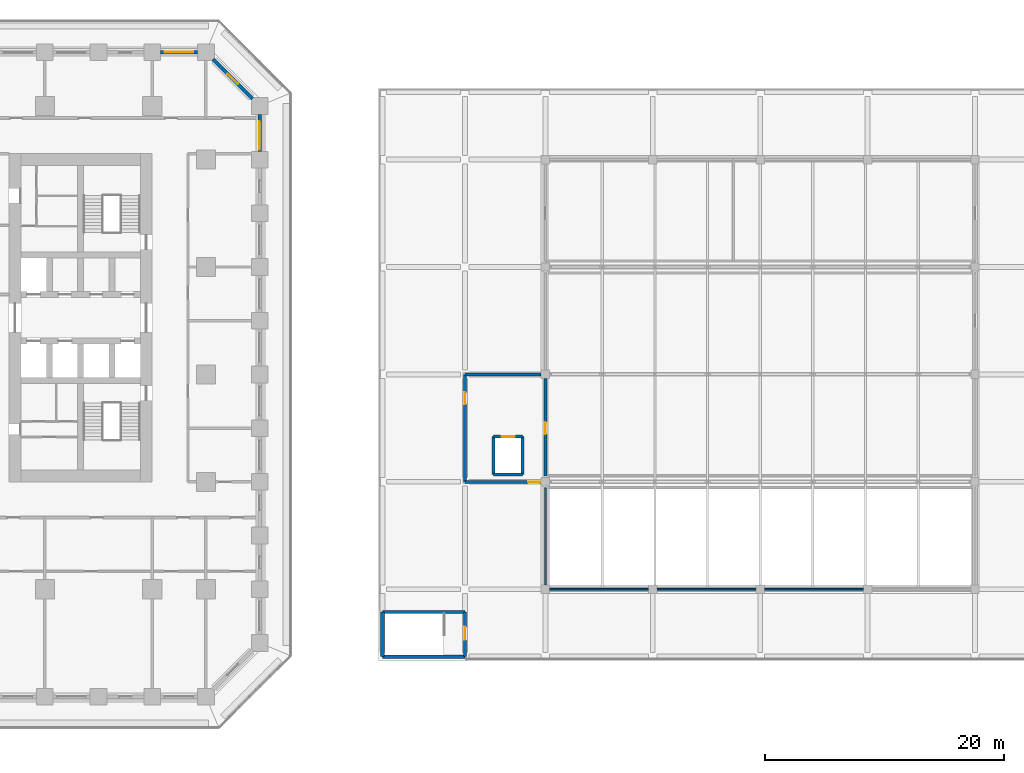
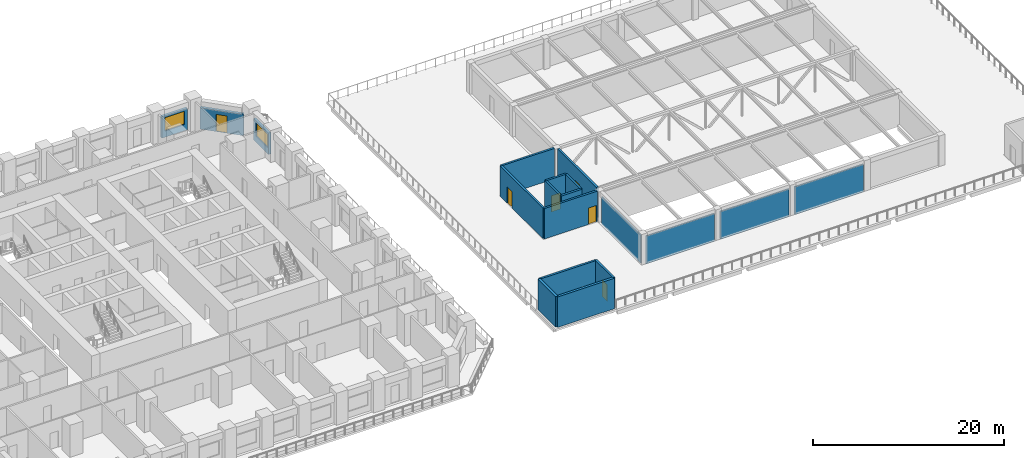
# One storey, part 24 of 30: 19 walls, 6 doors, 2 windows, 8 openings.
"""IFC4 building model written with IfcOpenShell, lengths in metres."""

from ifc_helpers import new_model, si_unit, direction, frame, frame_2d, origin, place, context, subcontext, project, spatial, rectangle, extrude, material, layer, layer_set, type_object, element, fill, save


model = new_model("IFC4")

# Units and contexts
model_context = context("Model", 3, precision=1e-05, world=origin(), true_north=direction((0.0, 1.0)))
body_context = subcontext(model_context, "Body", "Model", "MODEL_VIEW")
ifc_project = project(units=[si_unit("LENGTHUNIT", "METRE"), si_unit("AREAUNIT", "SQUARE_METRE"), si_unit("VOLUMEUNIT", "CUBIC_METRE"), si_unit("PLANEANGLEUNIT", "RADIAN"), si_unit("MASSUNIT", "GRAM", prefix="KILO")], contexts=[model_context])

# Site, building, storey
site_placement = place(None, origin())
site = spatial("IfcSite", under=ifc_project, at=site_placement, CompositionType="ELEMENT")
building_placement = place(site_placement, origin())
building = spatial("IfcBuilding", under=site, at=building_placement, Name="Corbel Stack Research Tower", CompositionType="ELEMENT")
storey_placement = place(building_placement, frame((0.0, 0.0, 19.5)))
storey = spatial("IfcBuildingStorey", under=building, at=storey_placement, Name="L04", CompositionType="ELEMENT", Elevation=19.5)

# Wall
ifc_material_1 = material(Name="Concrete C40/50", Category="concrete")
ifc_layer_1 = layer(ifc_material_1, 0.25)
ifc_layer_set_1 = layer_set([ifc_layer_1], Name="Concrete C40/50")
wall_type_1 = type_object("IfcWallType", Name="HW2 core wall C40/50 250", PredefinedType="SHEAR", material=ifc_layer_set_1)
wall_1_placement = place(storey_placement, frame((37.300048828125, -19.925048828125, 0.0), z_axis=(0.0, 0.0, 1.0), x_axis=(1.0, 0.0, 0.0)))
element("IfcWall", 1, at=wall_1_placement, inside=storey, type_object=wall_type_1, Name="Wall L04 h-19.93/37.3", PredefinedType="SHEAR", context=body_context, shape_type="SweptSolid", body=[
    extrude(rectangle(XDim=6.89990234375, YDim=0.25, at=frame_2d((3.449951171875, 0.0))), origin(), (0.0, 0.0, 1.0), 3.89990234375),
])

# Wall, opening, door
wall_2_placement = place(storey_placement, frame((50.60009765625, -9.0, 0.0), z_axis=(0.0, 0.0, 1.0), x_axis=(-1.0, 0.0, 0.0)))
wall_2 = element("IfcWall", 2, at=wall_2_placement, inside=storey, type_object=wall_type_1, Name="Wall L04 h-9.00/44.2", PredefinedType="SHEAR", context=body_context, shape_type="SweptSolid", body=[
    extrude(rectangle(XDim=6.400146484375, YDim=0.25, at=frame_2d((3.2001953125, 0.0))), origin(), (0.0, 0.0, 1.0), 3.89990234375),
])
opening_1_placement = place(wall_2_placement, frame((0.10009765625, 0.0, 0.0)))
opening_1 = element("IfcOpeningElement", 3, at=opening_1_placement, cuts=wall_2, Name="Opening H4-01", PredefinedType="OPENING", context=body_context, shape_type="SweptSolid", body=[
    extrude(rectangle(XDim=1.0, YDim=2.10009765625, at=frame_2d((0.5, 1.050048828125))), frame((0.0, 0.135009765625, 0.0), z_axis=(0.0, -1.0, 0.0), x_axis=(1.0, 0.0, 0.0)), (0.0, 0.0, 1.0), 0.27001953125),
])
ifc_material_2 = material(Name="Timber", Category="wood")
door_type_1 = type_object("IfcDoorType", Name="HD1 single door 1000 x 2100", OperationType="NOTDEFINED", PredefinedType="DOOR", material=ifc_material_2)
door_1_placement = place(opening_1_placement, origin())
door_1 = element("IfcDoor", 4, at=door_1_placement, inside=storey, type_object=door_type_1, Name="Door H4-01", OperationType="SINGLE_SWING_RIGHT", OverallHeight=2.10009765625, OverallWidth=1.0, PredefinedType="DOOR", context=body_context, shape_type="SweptSolid", body=[
    extrude(rectangle(XDim=1.0, YDim=2.10009765625, at=frame_2d((0.5, 1.050048828125))), frame((0.0, 0.02490234375, 0.0), z_axis=(0.0, -1.0, 0.0), x_axis=(1.0, 0.0, 0.0)), (0.0, 0.0, 1.0), 0.050048828125),
])
fill(opening_1, door_1)

# Wall
wall_3_placement = place(storey_placement, frame((46.60009765625, -8.39990234375, 0.0), z_axis=(0.0, 0.0, 1.0), x_axis=(1.0, 0.0, 0.0)))
element("IfcWall", 5, at=wall_3_placement, inside=storey, type_object=wall_type_1, Name="Wall L04 h-8.40/46.6", PredefinedType="SHEAR", context=body_context, shape_type="SweptSolid", body=[
    extrude(rectangle(XDim=2.449951171875, YDim=0.25, at=frame_2d((1.22509765625, 0.0))), origin(), (0.0, 0.0, 1.0), 4.300048828125),
])

# Wall, opening, door
wall_4_placement = place(storey_placement, frame((46.60009765625, -5.199951171875, 0.0), z_axis=(0.0, 0.0, 1.0), x_axis=(1.0, 0.0, 0.0)))
wall_4 = element("IfcWall", 6, at=wall_4_placement, inside=storey, type_object=wall_type_1, Name="Wall L04 h-5.20/46.6", PredefinedType="SHEAR", context=body_context, shape_type="SweptSolid", body=[
    extrude(rectangle(XDim=2.449951171875, YDim=0.25, at=frame_2d((1.22509765625, 0.0))), origin(), (0.0, 0.0, 1.0), 4.300048828125),
])
opening_2_placement = place(wall_4_placement, frame((0.675048828125, 0.0, 0.0)))
opening_2 = element("IfcOpeningElement", 7, at=opening_2_placement, cuts=wall_4, Name="Opening H4-02", PredefinedType="OPENING", context=body_context, shape_type="SweptSolid", body=[
    extrude(rectangle(XDim=1.10009765625, YDim=2.10009765625, at=frame_2d((0.550048828125, 1.050048828125))), frame((0.0, 0.135009765625, 0.0), z_axis=(0.0, -1.0, 0.0), x_axis=(1.0, 0.0, 0.0)), (0.0, 0.0, 1.0), 0.27001953125),
])
ifc_material_3 = material(Name="Timber", Category="wood")
door_type_2 = type_object("IfcDoorType", Name="HD5 lift landing door 1100 x 2100", OperationType="DOUBLE_DOOR_SLIDING", PredefinedType="DOOR", material=ifc_material_3)
door_2_placement = place(opening_2_placement, origin())
door_2 = element("IfcDoor", 8, at=door_2_placement, inside=storey, type_object=door_type_2, Name="Lift landing door H4-02", OperationType="DOUBLE_DOOR_SLIDING", OverallHeight=2.10009765625, OverallWidth=1.10009765625, PredefinedType="DOOR", context=body_context, shape_type="SweptSolid", body=[
    extrude(rectangle(XDim=1.10009765625, YDim=2.10009765625, at=frame_2d((0.550048828125, 1.050048828125))), frame((0.0, 0.02490234375, 0.0), z_axis=(0.0, -1.0, 0.0), x_axis=(1.0, 0.0, 0.0)), (0.0, 0.0, 1.0), 0.050048828125),
])
fill(opening_2, door_2)

# Wall
wall_5_placement = place(storey_placement, frame((44.199951171875, 0.0, 0.0), z_axis=(0.0, 0.0, 1.0), x_axis=(1.0, 0.0, 0.0)))
element("IfcWall", 9, at=wall_5_placement, inside=storey, type_object=wall_type_1, Name="Wall L04 h0.00/44.2", PredefinedType="SHEAR", context=body_context, shape_type="SweptSolid", body=[
    extrude(rectangle(XDim=6.400146484375, YDim=0.25, at=frame_2d((3.2001953125, 0.0))), origin(), (0.0, 0.0, 1.0), 3.89990234375),
])

# Wall, opening, door
wall_6_placement = place(storey_placement, frame((44.199951171875, -19.925048828125, 0.0), z_axis=(0.0, 0.0, 1.0), x_axis=(0.0, -1.0, 0.0)))
wall_6 = element("IfcWall", 10, at=wall_6_placement, inside=storey, type_object=wall_type_1, Name="Wall L04 v44.20/-23.6", PredefinedType="SHEAR", context=body_context, shape_type="SweptSolid", body=[
    extrude(rectangle(XDim=3.724853515625, YDim=0.25, at=frame_2d((1.8623046875, 0.0))), origin(), (0.0, 0.0, 1.0), 3.89990234375),
])
opening_3_placement = place(wall_6_placement, frame((1.22509765625, 0.0, 0.0)))
opening_3 = element("IfcOpeningElement", 11, at=opening_3_placement, cuts=wall_6, Name="Opening H4-03", PredefinedType="OPENING", context=body_context, shape_type="SweptSolid", body=[
    extrude(rectangle(XDim=1.10009765625, YDim=2.10009765625, at=frame_2d((0.550048828125, 1.050048828125))), frame((0.0, 0.135009765625, 0.0), z_axis=(0.0, -1.0, 0.0), x_axis=(1.0, 0.0, 0.0)), (0.0, 0.0, 1.0), 0.27001953125),
])
ifc_material_4 = material(Name="Steel", Category="steel")
door_type_3 = type_object("IfcDoorType", Name="HD4 fire door 1100 x 2100", OperationType="NOTDEFINED", PredefinedType="DOOR", material=ifc_material_4)
door_3_placement = place(opening_3_placement, origin())
door_3 = element("IfcDoor", 12, at=door_3_placement, inside=storey, type_object=door_type_3, Name="Door H4-03", OperationType="SINGLE_SWING_RIGHT", OverallHeight=2.10009765625, OverallWidth=1.10009765625, PredefinedType="DOOR", context=body_context, shape_type="SweptSolid", body=[
    extrude(rectangle(XDim=1.10009765625, YDim=2.10009765625, at=frame_2d((0.550048828125, 1.050048828125))), frame((0.0, 0.02490234375, 0.0), z_axis=(0.0, -1.0, 0.0), x_axis=(1.0, 0.0, 0.0)), (0.0, 0.0, 1.0), 0.050048828125),
])
fill(opening_3, door_3)

wall_7_placement = place(storey_placement, frame((44.199951171875, -9.0, 0.0), z_axis=(0.0, 0.0, 1.0), x_axis=(0.0, 1.0, 0.0)))
wall_7 = element("IfcWall", 13, at=wall_7_placement, inside=storey, type_object=wall_type_1, Name="Wall L04 v44.20/-9.0", PredefinedType="SHEAR", context=body_context, shape_type="SweptSolid", body=[
    extrude(rectangle(XDim=9.0, YDim=0.25, at=frame_2d((4.5, 0.0))), origin(), (0.0, 0.0, 1.0), 3.89990234375),
])
opening_4_placement = place(wall_7_placement, frame((6.5, 0.0, 0.0)))
opening_4 = element("IfcOpeningElement", 14, at=opening_4_placement, cuts=wall_7, Name="Opening H4-04", PredefinedType="OPENING", context=body_context, shape_type="SweptSolid", body=[
    extrude(rectangle(XDim=1.0, YDim=2.10009765625, at=frame_2d((0.5, 1.050048828125))), frame((0.0, 0.135009765625, 0.0), z_axis=(0.0, -1.0, 0.0), x_axis=(1.0, 0.0, 0.0)), (0.0, 0.0, 1.0), 0.27001953125),
])
door_4_placement = place(opening_4_placement, origin())
door_4 = element("IfcDoor", 15, at=door_4_placement, inside=storey, type_object=door_type_1, Name="Door H4-04", OperationType="SINGLE_SWING_LEFT", OverallHeight=2.10009765625, OverallWidth=1.0, PredefinedType="DOOR", context=body_context, shape_type="SweptSolid", body=[
    extrude(rectangle(XDim=1.0, YDim=2.10009765625, at=frame_2d((0.5, 1.050048828125))), frame((0.0, 0.02490234375, 0.0), z_axis=(0.0, -1.0, 0.0), x_axis=(1.0, 0.0, 0.0)), (0.0, 0.0, 1.0), 0.050048828125),
])
fill(opening_4, door_4)

# Walls
for number, where, z_axis, x_axis, name in (
    (16, (46.60009765625, -8.39990234375, 0.0), (0.0, 0.0, 1.0), (0.0, 1.0, 0.0), "Wall L04 v46.60/-8.4"),
    (17, (49.050048828125, -8.39990234375, 0.0), (0.0, 0.0, 1.0), (0.0, 1.0, 0.0), "Wall L04 v49.05/-8.4"),
):
    element("IfcWall", number, at=place(storey_placement, frame(where, z_axis=z_axis, x_axis=x_axis)), inside=storey, type_object=wall_type_1, Name=name, PredefinedType="SHEAR", context=body_context, shape_type="SweptSolid", body=[
        extrude(rectangle(XDim=3.199951171875, YDim=0.25, at=frame_2d((1.60009765625, 0.0))), origin(), (0.0, 0.0, 1.0), 4.300048828125),
    ])

# Wall, opening, door
wall_8_placement = place(storey_placement, frame((50.949951171875, -8.5, 0.0), z_axis=(0.0, 0.0, 1.0), x_axis=(0.0, 1.0, 0.0)))
wall_8 = element("IfcWall", 18, at=wall_8_placement, inside=storey, type_object=wall_type_1, Name="Wall L04 v50.95/-8.5", PredefinedType="SHEAR", context=body_context, shape_type="SweptSolid", body=[
    extrude(rectangle(XDim=8.14990234375, YDim=0.25, at=frame_2d((4.074951171875, 0.0))), origin(), (0.0, 0.0, 1.0), 3.89990234375),
])
opening_5_placement = place(wall_8_placement, frame((3.5, 0.0, 0.0)))
opening_5 = element("IfcOpeningElement", 19, at=opening_5_placement, cuts=wall_8, Name="Opening H4-05", PredefinedType="OPENING", context=body_context, shape_type="SweptSolid", body=[
    extrude(rectangle(XDim=1.0, YDim=2.10009765625, at=frame_2d((0.5, 1.050048828125))), frame((0.0, 0.135009765625, 0.0), z_axis=(0.0, -1.0, 0.0), x_axis=(1.0, 0.0, 0.0)), (0.0, 0.0, 1.0), 0.27001953125),
])
door_5_placement = place(opening_5_placement, origin())
door_5 = element("IfcDoor", 20, at=door_5_placement, inside=storey, type_object=door_type_1, Name="Door H4-05", OperationType="SINGLE_SWING_RIGHT", OverallHeight=2.10009765625, OverallWidth=1.0, PredefinedType="DOOR", context=body_context, shape_type="SweptSolid", body=[
    extrude(rectangle(XDim=1.0, YDim=2.10009765625, at=frame_2d((0.5, 1.050048828125))), frame((0.0, 0.02490234375, 0.0), z_axis=(0.0, -1.0, 0.0), x_axis=(1.0, 0.0, 0.0)), (0.0, 0.0, 1.0), 0.050048828125),
])
fill(opening_5, door_5)

# Walls
ifc_material_5 = material(Name="Concrete masonry unit", Category="masonry")
ifc_layer_2 = layer(ifc_material_5, 0.14990234375)
ifc_layer_set_2 = layer_set([ifc_layer_2], Name="Concrete masonry unit")
wall_type_2 = type_object("IfcWallType", Name="HW3 partition 150", PredefinedType="PARTITIONING", material=ifc_layer_set_2)
for number, where, z_axis, x_axis, name in (
    (21, (51.300048828125, -18.0, -0.25), (0.0, 0.0, 1.0), (1.0, 0.0, 0.0), "Wall L04 h-18.00/51.3"),
    (22, (60.300048828125, -18.0, -0.25), (0.0, 0.0, 1.0), (1.0, 0.0, 0.0), "Wall L04 h-18.00/60.3"),
    (23, (69.300048828125, -18.0, -0.25), (0.0, 0.0, 1.0), (1.0, 0.0, 0.0), "Wall L04 h-18.00/69.3"),
):
    element("IfcWall", number, at=place(storey_placement, frame(where, z_axis=z_axis, x_axis=x_axis)), inside=storey, type_object=wall_type_2, Name=name, PredefinedType="PARTITIONING", context=body_context, shape_type="SweptSolid", body=[
        extrude(rectangle(XDim=8.300048828125, YDim=0.14990234375, at=frame_2d((4.14990234375, 0.0))), origin(), (0.0, 0.0, 1.0), 3.550048828125),
    ])
wall_9_placement = place(storey_placement, frame((50.949951171875, -17.64990234375, -0.25), z_axis=(0.0, 0.0, 1.0), x_axis=(0.0, 1.0, 0.0)))
element("IfcWall", 24, at=wall_9_placement, inside=storey, type_object=wall_type_2, Name="Wall L04 v50.95/-17.6", PredefinedType="PARTITIONING", context=body_context, shape_type="SweptSolid", body=[
    extrude(rectangle(XDim=8.14990234375, YDim=0.14990234375, at=frame_2d((4.074951171875, 0.0))), origin(), (0.0, 0.0, 1.0), 3.550048828125),
])
ifc_material_6 = material(Name="Concrete C40/50", Category="concrete")
ifc_layer_3 = layer(ifc_material_6, 0.300048828125)
ifc_layer_set_3 = layer_set([ifc_layer_3], Name="Concrete C40/50")
wall_type_3 = type_object("IfcWallType", Name="HW6 exterior wall C40/50 300", PredefinedType="SHEAR", material=ifc_layer_set_3)
wall_10_placement = place(storey_placement, frame((37.300048828125, -23.64990234375, 0.0), z_axis=(0.0, 0.0, 1.0), x_axis=(1.0, 0.0, 0.0)))
element("IfcWall", 25, at=wall_10_placement, inside=storey, type_object=wall_type_3, Name="Exterior wall L04 h-23.65/37.3", PredefinedType="SHEAR", context=body_context, shape_type="SweptSolid", body=[
    extrude(rectangle(XDim=6.89990234375, YDim=0.300048828125, at=frame_2d((3.449951171875, 0.0))), origin(), (0.0, 0.0, 1.0), 3.89990234375),
])
wall_11_placement = place(storey_placement, frame((37.300048828125, -23.64990234375, 0.0), z_axis=(0.0, 0.0, 1.0), x_axis=(0.0, 1.0, 0.0)))
element("IfcWall", 26, at=wall_11_placement, inside=storey, type_object=wall_type_3, Name="Exterior wall L04 v37.30/-23.6", PredefinedType="SHEAR", context=body_context, shape_type="SweptSolid", body=[
    extrude(rectangle(XDim=3.724853515625, YDim=0.300048828125, at=frame_2d((1.8623046875, 0.0))), origin(), (0.0, 0.0, 1.0), 3.89990234375),
])

# Wall, opening, window
ifc_material_7 = material(Name="Concrete C45/55", Category="concrete")
ifc_layer_4 = layer(ifc_material_7, 0.300048828125)
ifc_layer_set_4 = layer_set([ifc_layer_4], Name="Concrete C45/55")
wall_type_4 = type_object("IfcWallType", Name="Terracotta-faced concrete wall 300", PredefinedType="SOLIDWALL", material=ifc_layer_set_4)
wall_12_placement = place(storey_placement, frame((27.0, 21.800048828125, 0.0), z_axis=(0.0, 0.0, 1.0), x_axis=(0.0, -1.0, 0.0)))
wall_12 = element("IfcWall", 27, at=wall_12_placement, inside=storey, type_object=wall_type_4, Name="Facade wall L04 E10", PredefinedType="SOLIDWALL", context=body_context, shape_type="SweptSolid", body=[
    extrude(rectangle(XDim=3.10009765625, YDim=0.300048828125, at=frame_2d((1.550048828125, 0.0))), origin(), (0.0, 0.0, 1.0), 2.75),
])
opening_6_placement = place(wall_12_placement, frame((0.574951171875, 0.0, 0.800048828125)))
opening_6 = element("IfcOpeningElement", 28, at=opening_6_placement, cuts=wall_12, Name="Opening W1", PredefinedType="OPENING", context=body_context, shape_type="SweptSolid", body=[
    extrude(rectangle(XDim=2.39990234375, YDim=1.699951171875, at=frame_2d((1.199951171875, 0.85009765625))), frame((0.0, 0.159912109375, 0.0), z_axis=(0.0, -1.0, 0.0), x_axis=(1.0, 0.0, 0.0)), (0.0, 0.0, 1.0), 0.320068359375),
])
ifc_material_8 = material(Name="Aluminium frame, clear double glazing", Category="aluminium")
window_type = type_object("IfcWindowType", Name="Window W1 2400 x 1700", PartitioningType="SINGLE_PANEL", PredefinedType="WINDOW", material=ifc_material_8)
window_1_placement = place(opening_6_placement, origin())
window_1 = element("IfcWindow", 29, at=window_1_placement, inside=storey, type_object=window_type, Name="Window W1 L04 E10", OverallHeight=1.699951171875, OverallWidth=2.39990234375, PartitioningType="SINGLE_PANEL", PredefinedType="WINDOW", context=body_context, shape_type="SweptSolid", body=[
    extrude(rectangle(XDim=2.39990234375, YDim=1.699951171875, at=frame_2d((1.199951171875, 0.85009765625))), frame((0.0, 0.030029296875, 0.0), z_axis=(0.0, -1.0, 0.0), x_axis=(1.0, 0.0, 0.0)), (0.0, 0.0, 1.0), 0.06005859375),
])
fill(opening_6, window_1)

# Wall, opening, door
wall_13_placement = place(storey_placement, frame((23.093994140625, 26.406005859375, 0.0), z_axis=(0.0, 0.0, 1.0), x_axis=(0.707106781187, -0.707106781187, 0.0)))
wall_13 = element("IfcWall", 30, at=wall_13_placement, inside=storey, type_object=wall_type_4, Name="Facade wall L04 NE01", PredefinedType="SOLIDWALL", context=body_context, shape_type="SweptSolid", body=[
    extrude(rectangle(XDim=4.683837890625, YDim=0.300048828125, at=frame_2d((2.341796875, 0.0))), origin(), (0.0, 0.0, 1.0), 2.75),
])
opening_7_placement = place(wall_13_placement, frame((1.741943359375, 0.0, 0.0)))
opening_7 = element("IfcOpeningElement", 31, at=opening_7_placement, cuts=wall_13, Name="Opening L04-B06", PredefinedType="OPENING", context=body_context, shape_type="SweptSolid", body=[
    extrude(rectangle(XDim=1.199951171875, YDim=2.199951171875, at=frame_2d((0.60009765625, 1.10009765625))), frame((0.0, 0.159912109375, 0.0), z_axis=(0.0, -1.0, 0.0), x_axis=(1.0, 0.0, 0.0)), (0.0, 0.0, 1.0), 0.320068359375),
])
ifc_material_9 = material(Name="Aluminium frame, clear double glazing", Category="aluminium")
door_type_4 = type_object("IfcDoorType", Name="Balcony door BD2 1200 x 2200", OperationType="NOTDEFINED", PredefinedType="DOOR", material=ifc_material_9)
door_6_placement = place(opening_7_placement, origin())
door_6 = element("IfcDoor", 32, at=door_6_placement, inside=storey, type_object=door_type_4, Name="Balcony door L04-B06", OperationType="SINGLE_SWING_LEFT", OverallHeight=2.199951171875, OverallWidth=1.199951171875, PredefinedType="DOOR", context=body_context, shape_type="SweptSolid", body=[
    extrude(rectangle(XDim=1.199951171875, YDim=2.199951171875, at=frame_2d((0.60009765625, 1.10009765625))), frame((0.0, 0.02490234375, 0.0), z_axis=(0.0, -1.0, 0.0), x_axis=(1.0, 0.0, 0.0)), (0.0, 0.0, 1.0), 0.050048828125),
])
fill(opening_7, door_6)

# Wall, opening, window
wall_14_placement = place(storey_placement, frame((18.699951171875, 27.0, 0.0), z_axis=(0.0, 0.0, 1.0), x_axis=(1.0, 0.0, 0.0)))
wall_14 = element("IfcWall", 33, at=wall_14_placement, inside=storey, type_object=wall_type_4, Name="Facade wall L04 N01", PredefinedType="SOLIDWALL", context=body_context, shape_type="SweptSolid", body=[
    extrude(rectangle(XDim=3.10009765625, YDim=0.300048828125, at=frame_2d((1.550048828125, 0.0))), origin(), (0.0, 0.0, 1.0), 2.75),
])
opening_8_placement = place(wall_14_placement, frame((0.35009765625, 0.0, 0.800048828125)))
opening_8 = element("IfcOpeningElement", 34, at=opening_8_placement, cuts=wall_14, Name="Opening W1", PredefinedType="OPENING", context=body_context, shape_type="SweptSolid", body=[
    extrude(rectangle(XDim=2.39990234375, YDim=1.699951171875, at=frame_2d((1.199951171875, 0.85009765625))), frame((0.0, 0.159912109375, 0.0), z_axis=(0.0, -1.0, 0.0), x_axis=(1.0, 0.0, 0.0)), (0.0, 0.0, 1.0), 0.320068359375),
])
window_2_placement = place(opening_8_placement, origin())
window_2 = element("IfcWindow", 35, at=window_2_placement, inside=storey, type_object=window_type, Name="Window W1 L04 N01", OverallHeight=1.699951171875, OverallWidth=2.39990234375, PartitioningType="SINGLE_PANEL", PredefinedType="WINDOW", context=body_context, shape_type="SweptSolid", body=[
    extrude(rectangle(XDim=2.39990234375, YDim=1.699951171875, at=frame_2d((1.199951171875, 0.85009765625))), frame((0.0, 0.030029296875, 0.0), z_axis=(0.0, -1.0, 0.0), x_axis=(1.0, 0.0, 0.0)), (0.0, 0.0, 1.0), 0.06005859375),
])
fill(opening_8, window_2)

save(model, "model.ifc")
